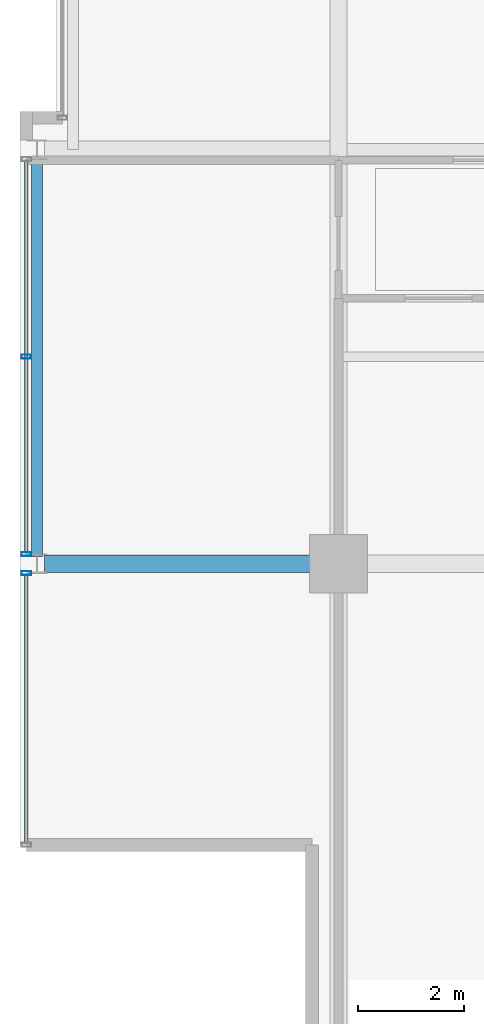
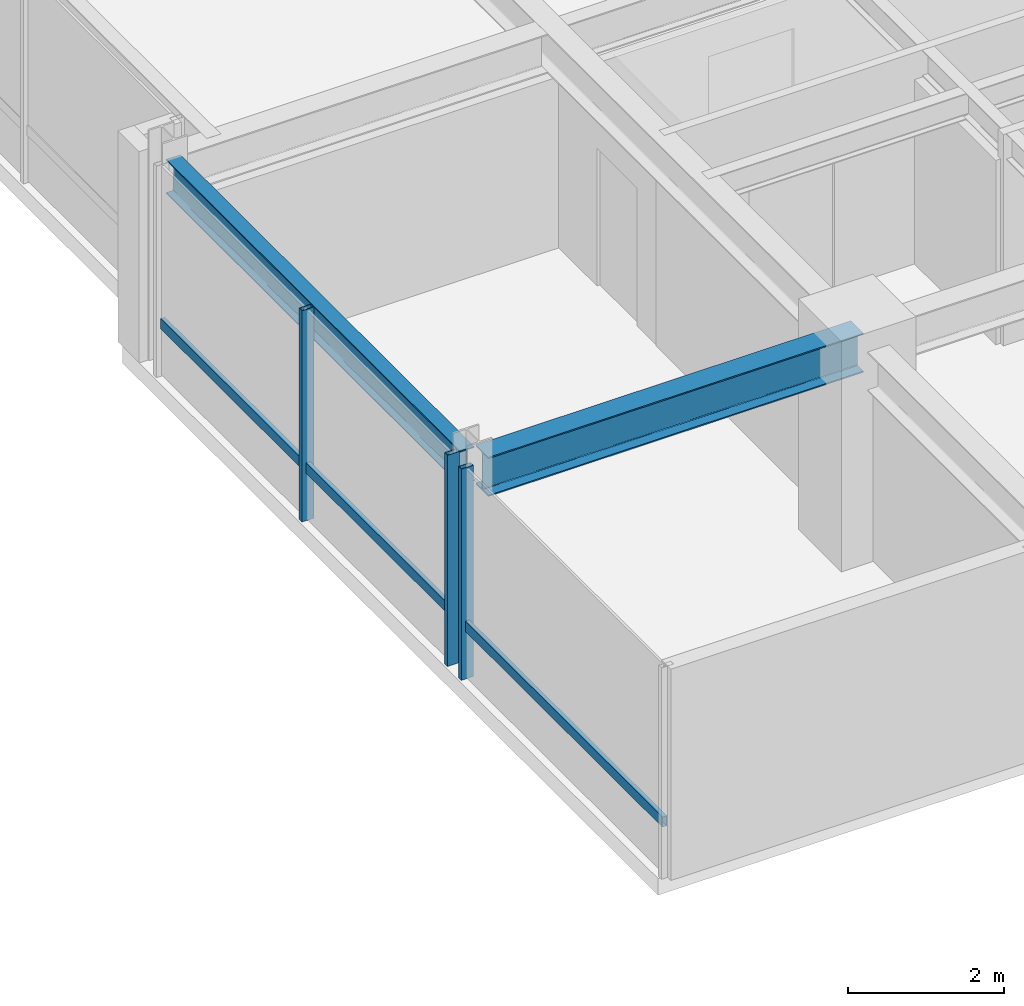
# One storey, part 5 of 34: 5 members, 2 beams, 2 elements without a shape of their own.
"""IFC4 building model written with IfcOpenShell, lengths in metres."""

from ifc_helpers import new_model, si_unit, direction, frame, origin, origin_2d, place, context, subcontext, project, spatial, hollow_rectangle, i_section, extrude, material, layer, layer_set, material_profile, profile_set, type_object, element, aggregate, save


model = new_model("IFC4")

# Units and contexts
model_context = context("Model", 3, precision=1e-05, world=origin(), true_north=direction((0.0, 1.0)))
body_context = subcontext(model_context, "Body", "Model", "MODEL_VIEW")
ifc_project = project(units=[si_unit("LENGTHUNIT", "METRE"), si_unit("AREAUNIT", "SQUARE_METRE"), si_unit("VOLUMEUNIT", "CUBIC_METRE"), si_unit("PLANEANGLEUNIT", "RADIAN"), si_unit("MASSUNIT", "GRAM", prefix="KILO")], contexts=[model_context])

# Site, building, storey
site_placement = place(None, origin())
site = spatial("IfcSite", under=ifc_project, at=site_placement, CompositionType="ELEMENT")
building_placement = place(site_placement, origin())
building = spatial("IfcBuilding", under=site, at=building_placement, Name="Drelvath Grand Hotel", CompositionType="ELEMENT")
storey_placement = place(building_placement, frame((0.0, 0.0, 251.89990234375)))
storey = spatial("IfcBuildingStorey", under=building, at=storey_placement, Name="L66", CompositionType="ELEMENT", Elevation=251.89990234375)

# Curtain wall, member
ifc_material_1 = material(Name="Platinum-Mist Anodised Aluminium Frame", Category="aluminium")
ifc_layer = layer(ifc_material_1, 0.199951171875)
ifc_layer_set = layer_set([ifc_layer], Name="Platinum-Mist Anodised Aluminium Frame")
curtain_wall_type = type_object("IfcCurtainWallType", Name="Stick Curtain Wall CW-05 Platinum Mist High-Rise", PredefinedType="NOTDEFINED", material=ifc_layer_set)
curtain_wall_1_placement = place(storey_placement, origin())
curtain_wall_1 = element("IfcCurtainWall", 1, at=curtain_wall_1_placement, inside=storey, type_object=curtain_wall_type, Name="L66 CW-05 Curtain Wall CW05-L66-WS1", PredefinedType="NOTDEFINED")
ifc_material_profile_1 = material_profile(ifc_material_1, hollow_rectangle(XDim=0.06494140625, YDim=0.159912109375, WallThickness=0.00390625, at=origin_2d()), Name="HSS160X65X4")
ifc_profile_set_1 = profile_set([ifc_material_profile_1], Name="Platinum-Mist Anodised Aluminium Frame")
member_type_1 = type_object("IfcMemberType", Name="Curtain Wall Horizontal Transom CW-05 HSS160X65X4", PredefinedType="USERDEFINED", material=ifc_profile_set_1)
member_1_placement = place(storey_placement, frame((-22.080078125, 5.5400390625, 0.8251953125), z_axis=(0.0, 1.0, 0.0), x_axis=(-1.0, 0.0, 0.0)))
member_1 = element("IfcMember", 2, at=member_1_placement, type_object=member_type_1, Name="CW05-L66-WS1 Sill Transom", ObjectType="TRANSOM", PredefinedType="USERDEFINED", context=body_context, shape_type="SweptSolid", body=[
    extrude(hollow_rectangle(XDim=0.06494140625, YDim=0.159912109375, WallThickness=0.00390625, at=origin_2d()), origin(), (0.0, 0.0, 1.0), 5.041748046875),
])

curtain_wall_2_placement = place(storey_placement, origin())
curtain_wall_2 = element("IfcCurtainWall", 3, at=curtain_wall_2_placement, inside=storey, type_object=curtain_wall_type, Name="L66 CW-05 Curtain Wall CW05-L66-WS2", PredefinedType="NOTDEFINED")
member_2_placement = place(storey_placement, frame((-22.080078125, 11.018310546875, 0.8251953125), z_axis=(0.0, 1.0, 0.0), x_axis=(-1.0, 0.0, 0.0)))
member_2 = element("IfcMember", 4, at=member_2_placement, type_object=member_type_1, Name="CW05-L66-WS2 Sill Transom", ObjectType="TRANSOM", PredefinedType="USERDEFINED", context=body_context, shape_type="SweptSolid", body=[
    extrude(hollow_rectangle(XDim=0.06494140625, YDim=0.159912109375, WallThickness=0.00390625, at=origin_2d()), origin(), (0.0, 0.0, 1.0), 7.363525390625),
])

# Member
ifc_material_profile_2 = material_profile(ifc_material_1, hollow_rectangle(XDim=0.074951171875, YDim=0.179931640625, WallThickness=0.0048828125, at=origin_2d()), Name="HSS180X75X5")
ifc_profile_set_2 = profile_set([ifc_material_profile_2], Name="Platinum-Mist Anodised Aluminium Frame")
member_type_2 = type_object("IfcMemberType", Name="Curtain Wall Vertical Mullion CW-05 HSS180X75X5", PredefinedType="MULLION", material=ifc_profile_set_2)
member_3_placement = place(storey_placement, frame((-22.080078125, 10.621826171875, 0.0), z_axis=(0.0, 0.0, 1.0), x_axis=(0.0, 1.0, 0.0)))
member_3 = element("IfcMember", 5, at=member_3_placement, type_object=member_type_2, Name="CW05-L66-WS1 Mullion 2", PredefinedType="MULLION", context=body_context, shape_type="SweptSolid", body=[
    extrude(hollow_rectangle(XDim=0.074951171875, YDim=0.179931640625, WallThickness=0.0048828125, at=origin_2d()), origin(), (0.0, 0.0, 1.0), 3.300048828125),
])

aggregate(curtain_wall_1, [member_3, member_1])

member_4_placement = place(storey_placement, frame((-22.080078125, 10.978271484375, 0.0), z_axis=(0.0, 0.0, 1.0), x_axis=(0.0, 1.0, 0.0)))
member_4 = element("IfcMember", 6, at=member_4_placement, type_object=member_type_2, Name="CW05-L66-WS2 Mullion 1", PredefinedType="MULLION", context=body_context, shape_type="SweptSolid", body=[
    extrude(hollow_rectangle(XDim=0.074951171875, YDim=0.179931640625, WallThickness=0.0048828125, at=origin_2d()), origin(), (0.0, 0.0, 1.0), 3.300048828125),
])

member_5_placement = place(storey_placement, frame((-22.080078125, 14.699951171875, 0.0), z_axis=(0.0, 0.0, 1.0), x_axis=(0.0, 1.0, 0.0)))
member_5 = element("IfcMember", 7, at=member_5_placement, type_object=member_type_2, Name="CW05-L66-WS2 Mullion 2", PredefinedType="MULLION", context=body_context, shape_type="SweptSolid", body=[
    extrude(hollow_rectangle(XDim=0.074951171875, YDim=0.179931640625, WallThickness=0.0048828125, at=origin_2d()), origin(), (0.0, 0.0, 1.0), 3.300048828125),
])

aggregate(curtain_wall_2, [member_4, member_5, member_2])

# Beams
ifc_material_2 = material(Name="Steel ASTM A992 Gr 50", Category="steel")
ifc_material_profile_3 = material_profile(ifc_material_2, i_section(OverallWidth=0.210205078125, OverallDepth=0.53662109375, WebThickness=0.010986328125, FlangeThickness=0.017333984375, FilletRadius=0.01806640625, at=origin_2d()), Name="W21X68")
ifc_profile_set_3 = profile_set([ifc_material_profile_3], Name="Steel ASTM A992 Gr 50")
beam_type_1 = type_object("IfcBeamType", Name="Perimeter Spandrel Beam W21X68", PredefinedType="SPANDREL", material=ifc_profile_set_3)
beam_1_placement = place(storey_placement, frame((-21.8798828125, 10.93994140625, 3.03173828125), z_axis=(0.0, 1.0, 0.0), x_axis=(-1.0, 0.0, 0.0)))
element("IfcBeam", 8, at=beam_1_placement, inside=storey, type_object=beam_type_1, Name="L66 Spandrel West S", PredefinedType="SPANDREL", context=body_context, shape_type="SweptSolid", body=[
    extrude(i_section(OverallWidth=0.210205078125, OverallDepth=0.53662109375, WebThickness=0.010986328125, FlangeThickness=0.017333984375, FilletRadius=0.01806640625, at=origin_2d()), origin(), (0.0, 0.0, 1.0), 7.52001953125),
])
ifc_material_profile_4 = material_profile(ifc_material_2, i_section(OverallWidth=0.323974609375, OverallDepth=0.611083984375, WebThickness=0.0126953125, FlangeThickness=0.01904296875, FilletRadius=0.02197265625, at=origin_2d()), Name="W24X104")
ifc_profile_set_4 = profile_set([ifc_material_profile_4], Name="Steel ASTM A992 Gr 50")
beam_type_2 = type_object("IfcBeamType", Name="Primary Floor Girder W24X104", PredefinedType="BEAM", material=ifc_profile_set_4)
beam_2_placement = place(storey_placement, frame((-21.739990234375, 10.800048828125, 2.994384765625), z_axis=(1.0, 0.0, 0.0), x_axis=(0.0, 1.0, 0.0)))
element("IfcBeam", 9, at=beam_2_placement, inside=storey, type_object=beam_type_2, Name="L66 West Grid Girder C", PredefinedType="BEAM", context=body_context, shape_type="SweptSolid", body=[
    extrude(i_section(OverallWidth=0.323974609375, OverallDepth=0.611083984375, WebThickness=0.0126953125, FlangeThickness=0.01904296875, FilletRadius=0.02197265625, at=origin_2d()), origin(), (0.0, 0.0, 1.0), 5.5400390625),
])

save(model, "model.ifc")
